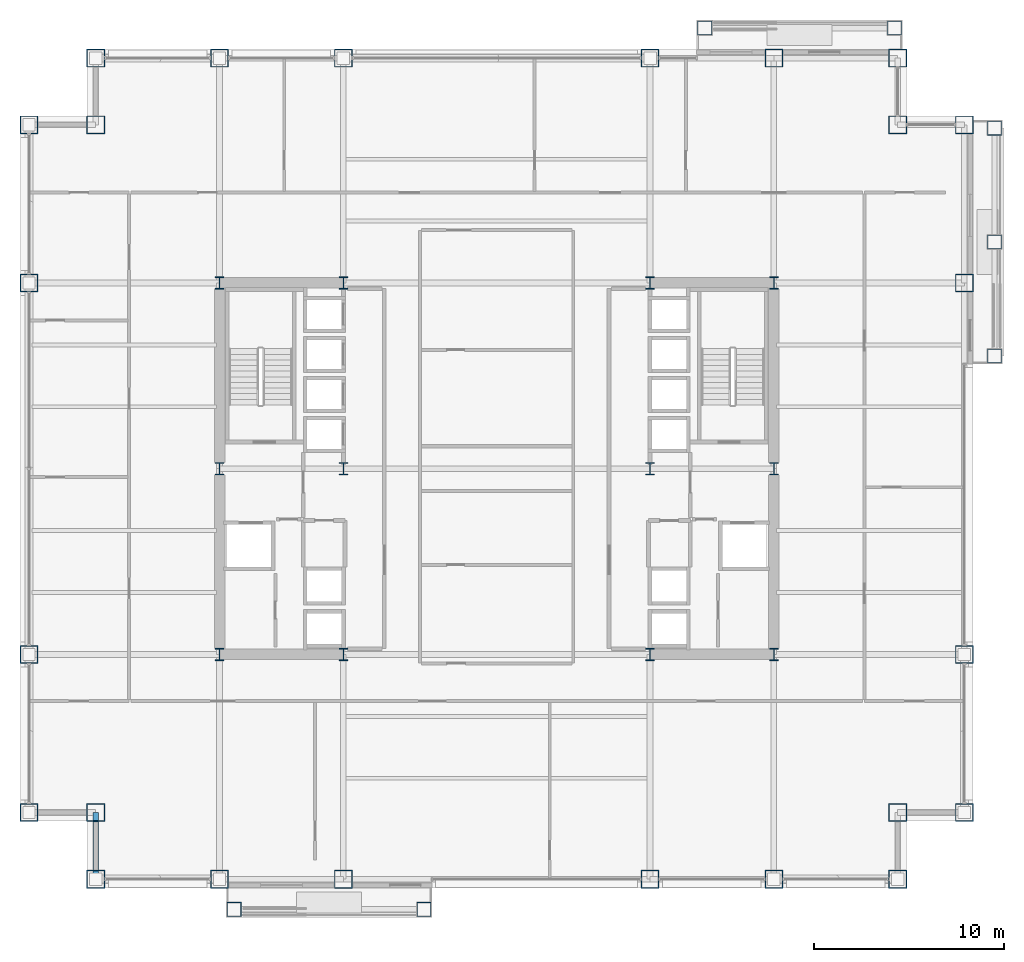
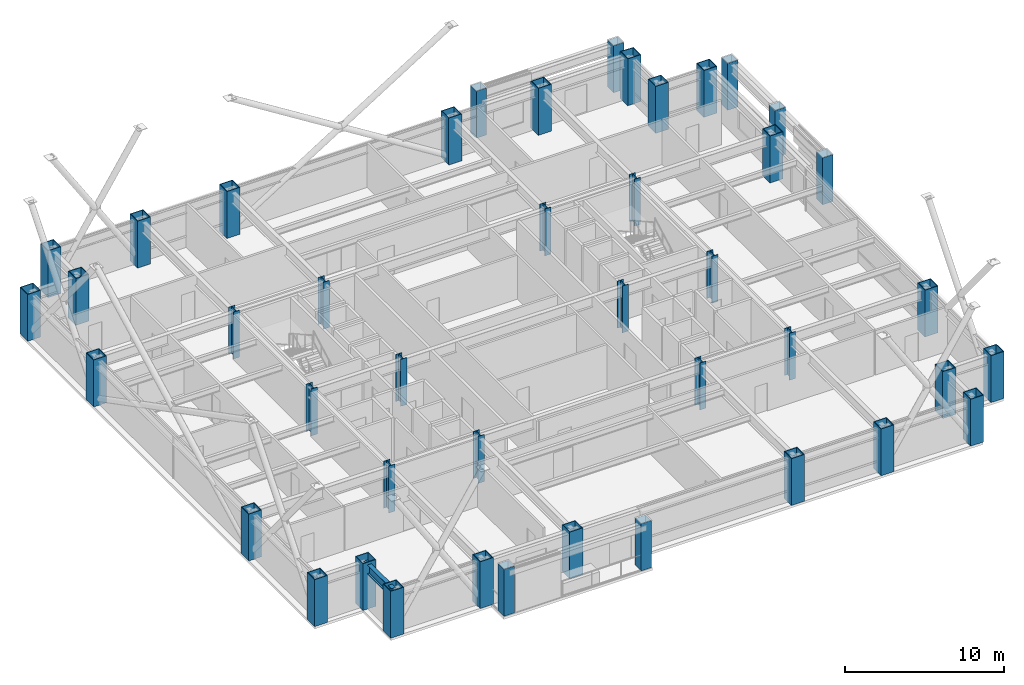
# One storey, part 1 of 34: 43 columns, 1 beam.
"""IFC4 building model written with IfcOpenShell, lengths in metres."""

from ifc_helpers import new_model, si_unit, direction, frame, origin, origin_2d, place, context, subcontext, project, spatial, hollow_rectangle, i_section, extrude, material, material_profile, profile_set, type_object, element, save


model = new_model("IFC4")

# Units and contexts
model_context = context("Model", 3, precision=1e-05, world=origin(), true_north=direction((0.0, 1.0)))
body_context = subcontext(model_context, "Body", "Model", "MODEL_VIEW")
ifc_project = project(units=[si_unit("LENGTHUNIT", "METRE"), si_unit("AREAUNIT", "SQUARE_METRE"), si_unit("VOLUMEUNIT", "CUBIC_METRE"), si_unit("PLANEANGLEUNIT", "RADIAN"), si_unit("MASSUNIT", "GRAM", prefix="KILO")], contexts=[model_context])

# Site, building, storey
site_placement = place(None, origin())
site = spatial("IfcSite", under=ifc_project, at=site_placement, CompositionType="ELEMENT")
building_placement = place(site_placement, origin())
building = spatial("IfcBuilding", under=site, at=building_placement, Name="Brelmoor Portico Tower", CompositionType="ELEMENT")
storey_placement = place(building_placement, frame((0.0, 0.0, 45.60009765625)))
storey = spatial("IfcBuildingStorey", under=building, at=storey_placement, Name="L11", CompositionType="ELEMENT", Elevation=45.60009765625)

# Columns
ifc_material_1 = material(Name="Steel Q355B", Category="steel")
ifc_material_profile_1 = material_profile(ifc_material_1, hollow_rectangle(XDim=0.75, YDim=0.75, WallThickness=0.031982421875, at=origin_2d()), Name="BOX 750x750x32")
ifc_profile_set_1 = profile_set([ifc_material_profile_1], Name="Steel Q355B")
column_type_1 = type_object("IfcColumnType", Name="COL-MEGA-750", PredefinedType="COLUMN", material=ifc_profile_set_1)
for number, where, z_axis, x_axis, name in (
    (1, (-13.780029296875, -23.1298828125, 0.0), (0.0, 0.0, 1.0), (1.0, 0.0, 0.0), "L11 Proud Picture-Frame Pier PFJ-S1"),
    (2, (-3.820068359375, -23.1298828125, 0.0), (0.0, 0.0, 1.0), (1.0, 0.0, 0.0), "L11 Proud Picture-Frame Pier PFJ-S2"),
    (3, (10.919921875, 23.1298828125, 0.0), (0.0, 0.0, 1.0), (1.0, 0.0, 0.0), "L11 Proud Picture-Frame Pier PFJ-N1"),
    (4, (20.8798828125, 23.1298828125, 0.0), (0.0, 0.0, 1.0), (1.0, 0.0, 0.0), "L11 Proud Picture-Frame Pier PFJ-N2"),
    (5, (26.1298828125, 5.919921875, 0.0), (0.0, 0.0, 1.0), (0.0, 1.0, 0.0), "L11 Proud Picture-Frame Pier PFJ-E1"),
    (6, (26.1298828125, 17.8798828125, 0.0), (0.0, 0.0, 1.0), (0.0, 1.0, 0.0), "L11 Proud Picture-Frame Pier PFJ-E2"),
    (7, (26.1298828125, 11.89990234375, 0.0), (0.0, 0.0, 1.0), (0.0, 1.0, 0.0), "L11 Proud Picture-Frame Pier PFJ-E3"),
):
    element("IfcColumn", number, at=place(storey_placement, frame(where, z_axis=z_axis, x_axis=x_axis)), inside=storey, type_object=column_type_1, Name=name, PredefinedType="COLUMN", context=body_context, shape_type="SweptSolid", body=[
        extrude(hollow_rectangle(XDim=0.75, YDim=0.75, WallThickness=0.031982421875, at=origin_2d()), origin(), (0.0, 0.0, 1.0), 3.599853515625),
    ])
ifc_material_2 = material(Name="Steel Q420B", Category="steel")
ifc_material_profile_2 = material_profile(ifc_material_2, hollow_rectangle(XDim=0.949951171875, YDim=0.949951171875, WallThickness=0.048095703125, at=origin_2d()), Name="BOX 950x950x48")
ifc_profile_set_2 = profile_set([ifc_material_profile_2], Name="Steel Q420B")
column_type_2 = type_object("IfcColumnType", Name="COL-MEGA-950", PredefinedType="COLUMN", material=ifc_profile_set_2)
for number, where, z_axis, x_axis, name in (
    (8, (-21.050048828125, -21.550048828125, 0.0), (0.0, 0.0, 1.0), (1.0, 0.0, 0.0), "L11 Perimeter Mega-Column PS01"),
    (9, (-14.550048828125, -21.550048828125, 0.0), (0.0, 0.0, 1.0), (1.0, 0.0, 0.0), "L11 Perimeter Mega-Column PS02"),
    (10, (-8.050048828125, -21.550048828125, 0.0), (0.0, 0.0, 1.0), (1.0, 0.0, 0.0), "L11 Perimeter Mega-Column PS03"),
    (11, (8.050048828125, -21.550048828125, 0.0), (0.0, 0.0, 1.0), (1.0, 0.0, 0.0), "L11 Perimeter Mega-Column PS04"),
    (12, (14.550048828125, -21.550048828125, 0.0), (0.0, 0.0, 1.0), (1.0, 0.0, 0.0), "L11 Perimeter Mega-Column PS05"),
    (13, (21.050048828125, -21.550048828125, 0.0), (0.0, 0.0, 1.0), (1.0, 0.0, 0.0), "L11 Perimeter Mega-Column PS06"),
    (14, (-21.050048828125, 21.550048828125, 0.0), (0.0, 0.0, 1.0), (1.0, 0.0, 0.0), "L11 Perimeter Mega-Column PN01"),
    (15, (-14.550048828125, 21.550048828125, 0.0), (0.0, 0.0, 1.0), (1.0, 0.0, 0.0), "L11 Perimeter Mega-Column PN02"),
    (16, (-8.050048828125, 21.550048828125, 0.0), (0.0, 0.0, 1.0), (1.0, 0.0, 0.0), "L11 Perimeter Mega-Column PN03"),
    (17, (8.050048828125, 21.550048828125, 0.0), (0.0, 0.0, 1.0), (1.0, 0.0, 0.0), "L11 Perimeter Mega-Column PN04"),
    (18, (14.550048828125, 21.550048828125, 0.0), (0.0, 0.0, 1.0), (1.0, 0.0, 0.0), "L11 Perimeter Mega-Column PN05"),
    (19, (21.050048828125, 21.550048828125, 0.0), (0.0, 0.0, 1.0), (1.0, 0.0, 0.0), "L11 Perimeter Mega-Column PN06"),
    (20, (-24.550048828125, -18.050048828125, 0.0), (0.0, 0.0, 1.0), (0.0, 1.0, 0.0), "L11 Perimeter Mega-Column PW01"),
    (21, (-24.550048828125, -9.75, 0.0), (0.0, 0.0, 1.0), (0.0, 1.0, 0.0), "L11 Perimeter Mega-Column PW02"),
    (22, (-24.550048828125, 9.75, 0.0), (0.0, 0.0, 1.0), (0.0, 1.0, 0.0), "L11 Perimeter Mega-Column PW03"),
    (23, (-24.550048828125, 18.050048828125, 0.0), (0.0, 0.0, 1.0), (0.0, 1.0, 0.0), "L11 Perimeter Mega-Column PW04"),
    (24, (24.550048828125, -18.050048828125, 0.0), (0.0, 0.0, 1.0), (0.0, 1.0, 0.0), "L11 Perimeter Mega-Column PE01"),
    (25, (24.550048828125, -9.75, 0.0), (0.0, 0.0, 1.0), (0.0, 1.0, 0.0), "L11 Perimeter Mega-Column PE02"),
    (26, (24.550048828125, 9.75, 0.0), (0.0, 0.0, 1.0), (0.0, 1.0, 0.0), "L11 Perimeter Mega-Column PE03"),
    (27, (24.550048828125, 18.050048828125, 0.0), (0.0, 0.0, 1.0), (0.0, 1.0, 0.0), "L11 Perimeter Mega-Column PE04"),
    (28, (-21.050048828125, 18.050048828125, 0.0), (0.0, 0.0, 1.0), (1.0, 0.0, 0.0), "L11 Perimeter Mega-Column PC-NW"),
    (29, (21.050048828125, 18.050048828125, 0.0), (0.0, 0.0, 1.0), (1.0, 0.0, 0.0), "L11 Perimeter Mega-Column PC-NE"),
    (30, (21.050048828125, -18.050048828125, 0.0), (0.0, 0.0, 1.0), (1.0, 0.0, 0.0), "L11 Perimeter Mega-Column PC-SE"),
    (31, (-21.050048828125, -18.050048828125, 0.0), (0.0, 0.0, 1.0), (1.0, 0.0, 0.0), "L11 Perimeter Mega-Column PC-SW"),
):
    element("IfcColumn", number, at=place(storey_placement, frame(where, z_axis=z_axis, x_axis=x_axis)), inside=storey, type_object=column_type_2, Name=name, PredefinedType="COLUMN", context=body_context, shape_type="SweptSolid", body=[
        extrude(hollow_rectangle(XDim=0.949951171875, YDim=0.949951171875, WallThickness=0.048095703125, at=origin_2d()), origin(), (0.0, 0.0, 1.0), 3.599853515625),
    ])
ifc_material_profile_3 = material_profile(ifc_material_1, i_section(OverallWidth=0.449951171875, OverallDepth=0.64990234375, WebThickness=0.02490234375, FlangeThickness=0.0400390625, at=origin_2d()), Name="HW 650x450x25x40")
ifc_profile_set_3 = profile_set([ifc_material_profile_3], Name="Steel Q355B")
column_type_3 = type_object("IfcColumnType", Name="COL-SPINE-650", PredefinedType="COLUMN", material=ifc_profile_set_3)
for number, where, z_axis, x_axis, name in (
    (32, (-14.550048828125, -9.75, 0.0), (0.0, 0.0, 1.0), (1.0, 0.0, 0.0), "L11 Core Spine Column CW-SW"),
    (33, (-14.550048828125, 0.0, 0.0), (0.0, 0.0, 1.0), (1.0, 0.0, 0.0), "L11 Core Spine Column CW-MW"),
    (34, (-14.550048828125, 9.75, 0.0), (0.0, 0.0, 1.0), (1.0, 0.0, 0.0), "L11 Core Spine Column CW-NW"),
    (35, (-8.050048828125, -9.75, 0.0), (0.0, 0.0, 1.0), (1.0, 0.0, 0.0), "L11 Core Spine Column CW-SE"),
    (36, (-8.050048828125, 0.0, 0.0), (0.0, 0.0, 1.0), (1.0, 0.0, 0.0), "L11 Core Spine Column CW-ME"),
    (37, (-8.050048828125, 9.75, 0.0), (0.0, 0.0, 1.0), (1.0, 0.0, 0.0), "L11 Core Spine Column CW-NE"),
    (38, (8.050048828125, -9.75, 0.0), (0.0, 0.0, 1.0), (1.0, 0.0, 0.0), "L11 Core Spine Column CE-SW"),
    (39, (8.050048828125, 0.0, 0.0), (0.0, 0.0, 1.0), (1.0, 0.0, 0.0), "L11 Core Spine Column CE-MW"),
    (40, (8.050048828125, 9.75, 0.0), (0.0, 0.0, 1.0), (1.0, 0.0, 0.0), "L11 Core Spine Column CE-NW"),
    (41, (14.550048828125, -9.75, 0.0), (0.0, 0.0, 1.0), (1.0, 0.0, 0.0), "L11 Core Spine Column CE-SE"),
    (42, (14.550048828125, 0.0, 0.0), (0.0, 0.0, 1.0), (1.0, 0.0, 0.0), "L11 Core Spine Column CE-ME"),
    (43, (14.550048828125, 9.75, 0.0), (0.0, 0.0, 1.0), (1.0, 0.0, 0.0), "L11 Core Spine Column CE-NE"),
):
    element("IfcColumn", number, at=place(storey_placement, frame(where, z_axis=z_axis, x_axis=x_axis)), inside=storey, type_object=column_type_3, Name=name, PredefinedType="COLUMN", context=body_context, shape_type="SweptSolid", body=[
        extrude(i_section(OverallWidth=0.449951171875, OverallDepth=0.64990234375, WebThickness=0.02490234375, FlangeThickness=0.0400390625, at=origin_2d()), origin(), (0.0, 0.0, 1.0), 3.599853515625),
    ])

# Beam
ifc_material_profile_4 = material_profile(ifc_material_1, i_section(OverallWidth=0.300048828125, OverallDepth=0.699951171875, WebThickness=0.012939453125, FlangeThickness=0.02392578125, at=origin_2d()), Name="HN 700x300x13x24")
ifc_profile_set_4 = profile_set([ifc_material_profile_4], Name="Steel Q355B")
beam_type = type_object("IfcBeamType", Name="BM-SP-700", PredefinedType="SPANDREL", material=ifc_profile_set_4)
beam_placement = place(storey_placement, frame((-21.050048828125, -21.550048828125, 3.0498046875), z_axis=(0.0, 1.0, 0.0), x_axis=(-1.0, 0.0, 0.0)))
element("IfcBeam", 44, at=beam_placement, inside=storey, type_object=beam_type, Name="L11 Perimeter Spandrel Beam SP-18", PredefinedType="SPANDREL", context=body_context, shape_type="SweptSolid", body=[
    extrude(i_section(OverallWidth=0.300048828125, OverallDepth=0.699951171875, WebThickness=0.012939453125, FlangeThickness=0.02392578125, at=origin_2d()), origin(), (0.0, 0.0, 1.0), 3.5),
])

save(model, "model.ifc")
